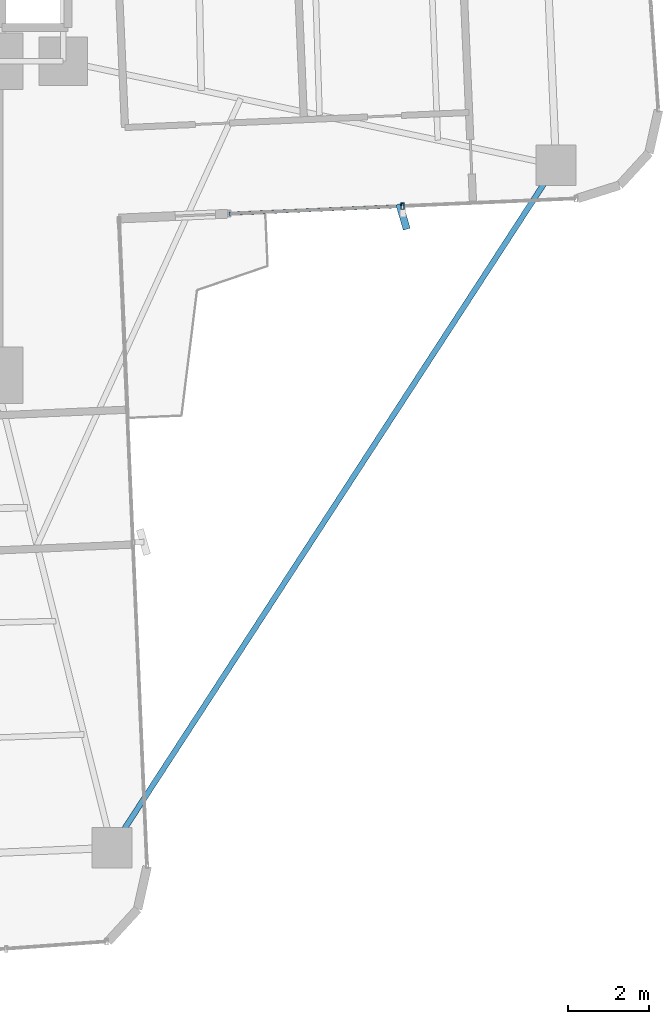
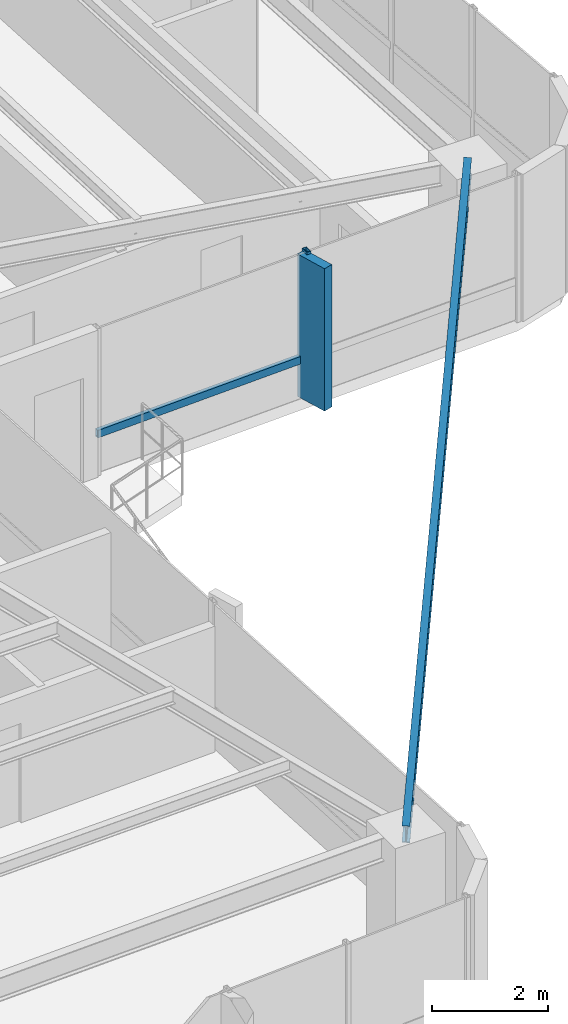
# One storey, part 14 of 26: 3 members, 1 beam, 1 element without a shape of its own.
"""IFC4 building model written with IfcOpenShell, lengths in metres."""

from ifc_helpers import new_model, si_unit, direction, frame, origin, origin_2d, place, context, subcontext, project, spatial, rectangle, hollow_rectangle, i_section, extrude, source, transform, mapped, material, material_profile, profile_set, type_object, element, aggregate, save


model = new_model("IFC4")

# Units and contexts
model_context = context("Model", 3, precision=1e-05, world=origin(), true_north=direction((0.0, 1.0)))
body_context = subcontext(model_context, "Body", "Model", "MODEL_VIEW")
ifc_project = project(units=[si_unit("LENGTHUNIT", "METRE"), si_unit("AREAUNIT", "SQUARE_METRE"), si_unit("VOLUMEUNIT", "CUBIC_METRE"), si_unit("PLANEANGLEUNIT", "RADIAN"), si_unit("MASSUNIT", "GRAM", prefix="KILO")], contexts=[model_context])

# Site, building, storey
site_placement = place(None, origin())
site = spatial("IfcSite", under=ifc_project, at=site_placement, CompositionType="ELEMENT")
building_placement = place(site_placement, origin())
building = spatial("IfcBuilding", under=site, at=building_placement, Name="Sahyath Konkavel Grand Hotel", CompositionType="ELEMENT")
storey_placement = place(building_placement, frame((0.0, 0.0, 100.25)))
storey = spatial("IfcBuildingStorey", under=building, at=storey_placement, Name="L27", CompositionType="ELEMENT", Elevation=100.25)

# Beam
ifc_material_1 = material(Name="Steel E350", Category="steel")
ifc_material_profile_1 = material_profile(ifc_material_1, i_section(OverallWidth=0.139892578125, OverallDepth=0.35009765625, WebThickness=0.008056640625, FlangeThickness=0.01416015625, FilletRadius=0.013916015625, at=origin_2d()), Name="ISMB 350")
ifc_profile_set_1 = profile_set([ifc_material_profile_1], Name="Steel E350")
beam_type = type_object("IfcBeamType", Name="BM-ISMB350", PredefinedType="BEAM", material=ifc_profile_set_1)
shared_shape_1 = source(origin(), body_context, "Body", "SweptSolid", [
    extrude(i_section(OverallWidth=0.139892578125, OverallDepth=0.35009765625, WebThickness=0.008056640625, FlangeThickness=0.01416015625, FilletRadius=0.013916015625, at=origin_2d()), origin(), (0.0, 0.0, 1.0), 20.21533203125),
])
beam_placement = place(storey_placement, frame((17.734130859375, -4.981201171875, 2.93505859375), z_axis=(-0.545191244931, -0.838311700056, 0.0), x_axis=(0.838311700056, -0.545191244931, 0.0)))
element("IfcBeam", 1, at=beam_placement, inside=storey, type_object=beam_type, Name="L27 Re-Entrant Tie Beam SE", PredefinedType="BEAM", context=body_context, shape_type="MappedRepresentation", body=[
    mapped(shared_shape_1, transform((0.0, 0.0, 0.0), scale=1.0)),
])

# Curtain wall, members
ifc_material_2 = material(Name="Anodised Bronze Aluminium & Low-E Glazing", Category="aluminium")
curtain_wall_type = type_object("IfcCurtainWallType", Name="CW-ZONE2", PredefinedType="NOTDEFINED", material=ifc_material_2)
curtain_wall_placement = place(storey_placement, origin())
curtain_wall = element("IfcCurtainWall", 2, at=curtain_wall_placement, inside=storey, type_object=curtain_wall_type, Name="L27 Unitised Curtain Wall F0", PredefinedType="NOTDEFINED")
ifc_material_3 = material(Name="Warm Buff Sandstone Cladding on Concrete C50/60", Category="masonry")
ifc_material_profile_2 = material_profile(ifc_material_3, rectangle(XDim=0.179931640625, YDim=0.64990234375, at=origin_2d()), Name="FIN 180x650")
ifc_profile_set_2 = profile_set([ifc_material_profile_2], Name="Warm Buff Sandstone Cladding on Concrete C50/60")
member_type_1 = type_object("IfcMemberType", Name="FIN-SANDSTONE-650", PredefinedType="MULLION", material=ifc_profile_set_2)
shared_shape_2 = source(origin(), body_context, "Body", "SweptSolid", [
    extrude(rectangle(XDim=0.179931640625, YDim=0.64990234375, at=origin_2d()), origin(), (0.0, 0.0, 1.0), 3.010009765625),
])
member_1_placement = place(storey_placement, frame((13.936279296875, -6.258056640625, 0.050048828125), z_axis=(0.0, 0.0, 1.0), x_axis=(0.959854262938, 0.280499187022, 0.0)))
member_1 = element("IfcMember", 3, at=member_1_placement, type_object=member_type_1, Name="L27 Sandstone Vertical Solar Fin FIN F0-1", PredefinedType="MULLION", context=body_context, shape_type="MappedRepresentation", body=[
    mapped(shared_shape_2, transform((0.0, 0.0, 0.0), scale=1.0)),
])
ifc_material_4 = material(Name="Anodised Bronze Aluminium", Category="aluminium")
ifc_material_profile_3 = material_profile(ifc_material_4, hollow_rectangle(XDim=0.080078125, YDim=0.159912109375, WallThickness=0.006103515625, at=origin_2d()), Name="RHS 160x80x6")
ifc_profile_set_3 = profile_set([ifc_material_profile_3], Name="Anodised Bronze Aluminium")
member_type_2 = type_object("IfcMemberType", Name="CW-MUL-160", PredefinedType="MULLION", material=ifc_profile_set_3)
shared_shape_3 = source(origin(), body_context, "Body", "SweptSolid", [
    extrude(hollow_rectangle(XDim=0.080078125, YDim=0.159912109375, WallThickness=0.006103515625, at=origin_2d()), origin(), (0.0, 0.0, 1.0), 3.110107421875),
])
member_2_placement = place(storey_placement, frame((13.9248046875, -5.998291015625, 0.0), z_axis=(0.0, 0.0, 1.0), x_axis=(1.0, 0.0, 0.0)))
member_2 = element("IfcMember", 4, at=member_2_placement, type_object=member_type_2, Name="L27 Curtain Wall Mullion F0-1", PredefinedType="MULLION", context=body_context, shape_type="MappedRepresentation", body=[
    mapped(shared_shape_3, transform((0.0, 0.0, 0.0), scale=1.0)),
])
ifc_material_profile_4 = material_profile(ifc_material_4, hollow_rectangle(XDim=0.080078125, YDim=0.159912109375, WallThickness=0.006103515625, at=origin_2d()), Name="RHS 160x80x6")
ifc_profile_set_4 = profile_set([ifc_material_profile_4], Name="Anodised Bronze Aluminium")
member_type_3 = type_object("IfcMemberType", Name="CW-TRN-160", PredefinedType="USERDEFINED", material=ifc_profile_set_4)
shared_shape_4 = source(origin(), body_context, "Body", "SweptSolid", [
    extrude(hollow_rectangle(XDim=0.080078125, YDim=0.159912109375, WallThickness=0.006103515625, at=origin_2d()), origin(), (0.0, 0.0, 1.0), 4.31005859375),
])
member_3_placement = place(storey_placement, frame((9.618896484375, -6.186279296875, 0.85009765625), z_axis=(0.999048340188, 0.043616670746, 0.0), x_axis=(-0.043616670746, 0.999048340188, 0.0)))
member_3 = element("IfcMember", 5, at=member_3_placement, type_object=member_type_3, Name="L27 Curtain Wall Transom F0-0-spandrel", ObjectType="TRANSOM", PredefinedType="USERDEFINED", context=body_context, shape_type="MappedRepresentation", body=[
    mapped(shared_shape_4, transform((0.0, 0.0, 0.0), scale=1.0)),
])
aggregate(curtain_wall, [member_2, member_1, member_3])

save(model, "model.ifc")
